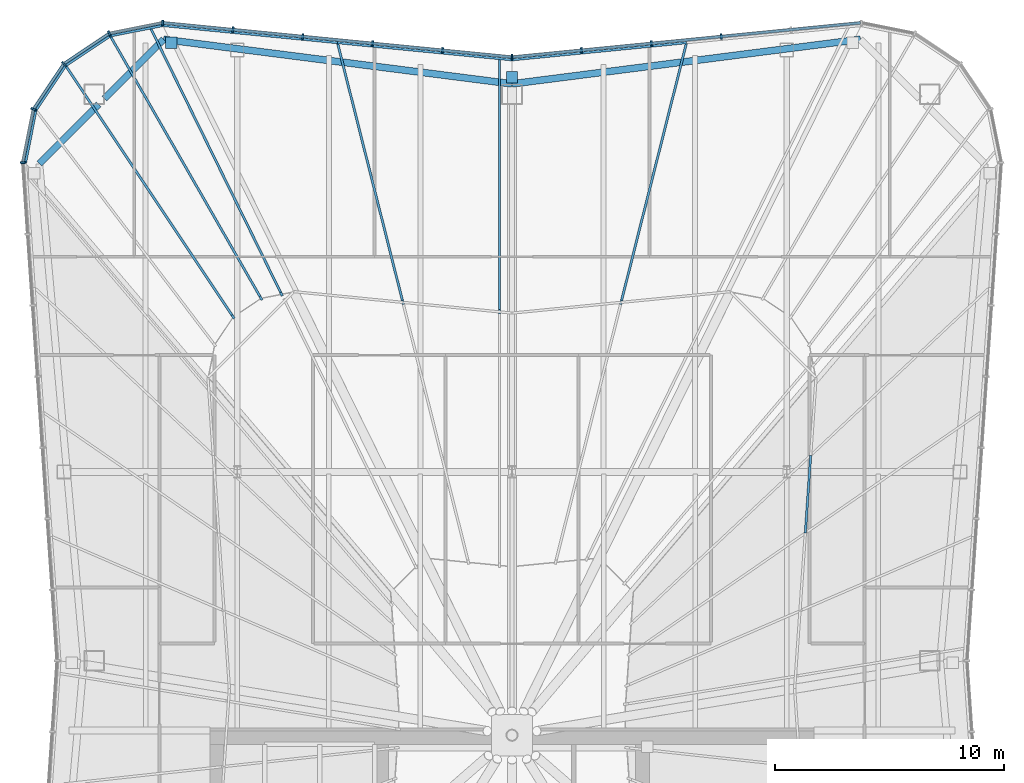
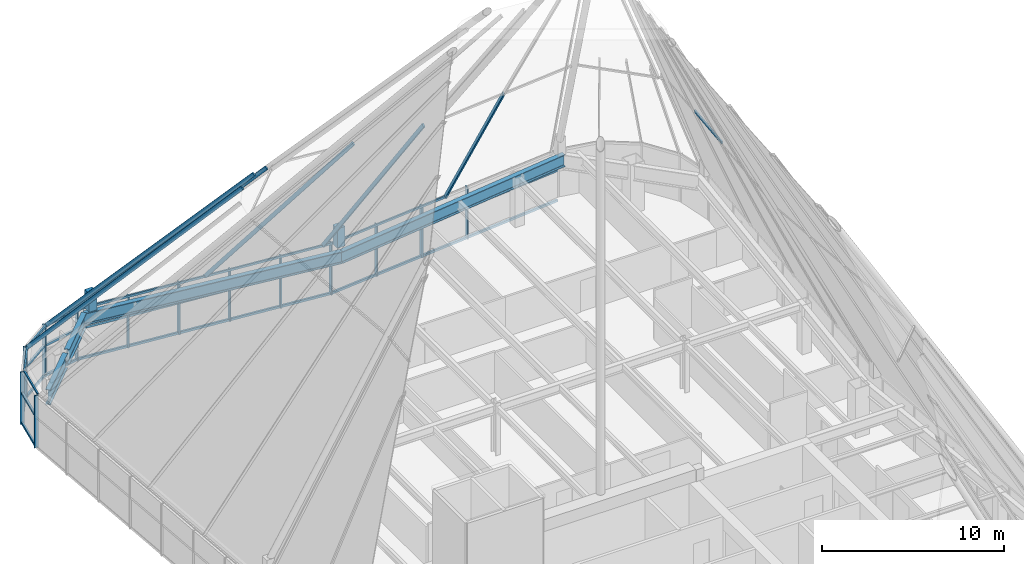
# One storey, part 16 of 28: 41 members, 4 beams, 11 elements without a shape of their own.
"""IFC4 building model written with IfcOpenShell, lengths in metres."""

from ifc_helpers import new_model, si_unit, direction, frame, origin, origin_2d, place, context, subcontext, project, spatial, rectangle, i_section, extrude, material, layer, layer_set, material_profile, profile_set, type_object, element, aggregate, save


model = new_model("IFC4")

# Units and contexts
model_context = context("Model", 3, precision=1e-05, world=origin(), true_north=direction((0.0, 1.0)))
body_context = subcontext(model_context, "Body", "Model", "MODEL_VIEW")
ifc_project = project(units=[si_unit("LENGTHUNIT", "METRE"), si_unit("AREAUNIT", "SQUARE_METRE"), si_unit("VOLUMEUNIT", "CUBIC_METRE"), si_unit("PLANEANGLEUNIT", "RADIAN"), si_unit("MASSUNIT", "GRAM", prefix="KILO")], contexts=[model_context])

# Site, building, storey
site_placement = place(None, origin())
site = spatial("IfcSite", under=ifc_project, at=site_placement, CompositionType="ELEMENT")
building_placement = place(site_placement, origin())
building = spatial("IfcBuilding", under=site, at=building_placement, Name="Verdant Reach Tower", CompositionType="ELEMENT")
storey_placement = place(building_placement, frame((0.0, 0.0, 368.0)))
storey = spatial("IfcBuildingStorey", under=building, at=storey_placement, Name="L83 Crown plant", CompositionType="ELEMENT", Elevation=368.0)

# Curtain wall, members
ifc_material_1 = material(Name="Anodised aluminium", Category="aluminium")
curtain_wall_type_1 = type_object("IfcCurtainWallType", Name="EN-CW SYSTEM PLANT", PredefinedType="NOTDEFINED", material=ifc_material_1)
curtain_wall_1_placement = place(storey_placement, origin())
curtain_wall_1 = element("IfcCurtainWall", 1, at=curtain_wall_1_placement, inside=storey, type_object=curtain_wall_type_1, Name="Curtain wall north, L83", PredefinedType="NOTDEFINED")
ifc_material_profile_1 = material_profile(ifc_material_1, rectangle(XDim=0.238037109375, YDim=0.080078125, at=origin_2d()), Name="Mullion 80x240")
ifc_profile_set_1 = profile_set([ifc_material_profile_1], Name="Anodised aluminium")
member_type_1 = type_object("IfcMemberType", Name="EN-MULLION PLANT", PredefinedType="MULLION", material=ifc_profile_set_1)
member_1_placement = place(storey_placement, frame((9.138427734375, 68.518310546875, -0.35009765625), z_axis=(0.0, 0.0, 1.0), x_axis=(-0.09788826992, 0.995197410875, 0.0)))
member_1 = element("IfcMember", 2, at=member_1_placement, type_object=member_type_1, Name="Mullion north face part 1 3, L83", PredefinedType="MULLION", context=body_context, shape_type="SweptSolid", body=[
    extrude(rectangle(XDim=0.238037109375, YDim=0.080078125, at=origin_2d()), origin(), (0.0, 0.0, 1.0), 3.5),
])
member_2_placement = place(storey_placement, frame((6.08837890625, 68.218505859375, -0.35009765625), z_axis=(0.0, 0.0, 1.0), x_axis=(-0.09788826992, 0.995197410875, 0.0)))
member_2 = element("IfcMember", 3, at=member_2_placement, type_object=member_type_1, Name="Mullion north face part 1 4, L83", PredefinedType="MULLION", context=body_context, shape_type="SweptSolid", body=[
    extrude(rectangle(XDim=0.238037109375, YDim=0.080078125, at=origin_2d()), origin(), (0.0, 0.0, 1.0), 3.5),
])
member_3_placement = place(storey_placement, frame((3.038330078125, 67.91845703125, -0.35009765625), z_axis=(0.0, 0.0, 1.0), x_axis=(-0.09788826992, 0.995197410875, 0.0)))
member_3 = element("IfcMember", 4, at=member_3_placement, type_object=member_type_1, Name="Mullion north face part 1 5, L83", PredefinedType="MULLION", context=body_context, shape_type="SweptSolid", body=[
    extrude(rectangle(XDim=0.238037109375, YDim=0.080078125, at=origin_2d()), origin(), (0.0, 0.0, 1.0), 3.5),
])
member_4_placement = place(storey_placement, frame((0.0, 67.618896484375, -0.35009765625), z_axis=(0.0, 0.0, 1.0), x_axis=(0.0, 1.0, 0.0)))
member_4 = element("IfcMember", 5, at=member_4_placement, type_object=member_type_1, Name="Mullion north face part 2 1, L83", PredefinedType="MULLION", context=body_context, shape_type="SweptSolid", body=[
    extrude(rectangle(XDim=0.238037109375, YDim=0.080078125, at=origin_2d()), origin(), (0.0, 0.0, 1.0), 3.5),
])
member_5_placement = place(storey_placement, frame((-3.038330078125, 67.91845703125, -0.35009765625), z_axis=(0.0, 0.0, 1.0), x_axis=(0.09788826992, 0.995197410875, 0.0)))
member_5 = element("IfcMember", 6, at=member_5_placement, type_object=member_type_1, Name="Mullion north face part 2 2, L83", PredefinedType="MULLION", context=body_context, shape_type="SweptSolid", body=[
    extrude(rectangle(XDim=0.238037109375, YDim=0.080078125, at=origin_2d()), origin(), (0.0, 0.0, 1.0), 3.5),
])
member_6_placement = place(storey_placement, frame((-6.08837890625, 68.218505859375, -0.35009765625), z_axis=(0.0, 0.0, 1.0), x_axis=(0.09788826992, 0.995197410875, 0.0)))
member_6 = element("IfcMember", 7, at=member_6_placement, type_object=member_type_1, Name="Mullion north face part 2 3, L83", PredefinedType="MULLION", context=body_context, shape_type="SweptSolid", body=[
    extrude(rectangle(XDim=0.238037109375, YDim=0.080078125, at=origin_2d()), origin(), (0.0, 0.0, 1.0), 3.5),
])
member_7_placement = place(storey_placement, frame((-9.138427734375, 68.518310546875, -0.35009765625), z_axis=(0.0, 0.0, 1.0), x_axis=(0.09788826992, 0.995197410875, 0.0)))
member_7 = element("IfcMember", 8, at=member_7_placement, type_object=member_type_1, Name="Mullion north face part 2 4, L83", PredefinedType="MULLION", context=body_context, shape_type="SweptSolid", body=[
    extrude(rectangle(XDim=0.238037109375, YDim=0.080078125, at=origin_2d()), origin(), (0.0, 0.0, 1.0), 3.5),
])
member_8_placement = place(storey_placement, frame((-12.188232421875, 68.818359375, -0.35009765625), z_axis=(0.0, 0.0, 1.0), x_axis=(0.09788826992, 0.995197410875, 0.0)))
member_8 = element("IfcMember", 9, at=member_8_placement, type_object=member_type_1, Name="Mullion north face part 2 5, L83", PredefinedType="MULLION", context=body_context, shape_type="SweptSolid", body=[
    extrude(rectangle(XDim=0.238037109375, YDim=0.080078125, at=origin_2d()), origin(), (0.0, 0.0, 1.0), 3.5),
])

curtain_wall_2_placement = place(storey_placement, origin())
curtain_wall_2 = element("IfcCurtainWall", 10, at=curtain_wall_2_placement, inside=storey, type_object=curtain_wall_type_1, Name="Curtain wall north-west corner, L83", PredefinedType="NOTDEFINED")
member_9_placement = place(storey_placement, frame((-15.255859375, 69.118896484375, -0.35009765625), z_axis=(0.0, 0.0, 1.0), x_axis=(-0.049127596288, 0.998792510626, 0.0)))
member_9 = element("IfcMember", 11, at=member_9_placement, type_object=member_type_1, Name="Mullion north-west corner 1, L83", PredefinedType="MULLION", context=body_context, shape_type="SweptSolid", body=[
    extrude(rectangle(XDim=0.238037109375, YDim=0.080078125, at=origin_2d()), origin(), (0.0, 0.0, 1.0), 3.5),
])
member_10_placement = place(storey_placement, frame((-17.591552734375, 68.6533203125, -0.35009765625), z_axis=(0.0, 0.0, 1.0), x_axis=(-0.382693853776, 0.923875215753, 0.0)))
member_10 = element("IfcMember", 12, at=member_10_placement, type_object=member_type_1, Name="Mullion north-west corner 2, L83", PredefinedType="MULLION", context=body_context, shape_type="SweptSolid", body=[
    extrude(rectangle(XDim=0.238037109375, YDim=0.080078125, at=origin_2d()), origin(), (0.0, 0.0, 1.0), 3.5),
])
member_11_placement = place(storey_placement, frame((-19.57666015625, 67.32666015625, -0.35009765625), z_axis=(0.0, 0.0, 1.0), x_axis=(-0.707106781187, 0.707106781187, 0.0)))
member_11 = element("IfcMember", 13, at=member_11_placement, type_object=member_type_1, Name="Mullion north-west corner 3, L83", PredefinedType="MULLION", context=body_context, shape_type="SweptSolid", body=[
    extrude(rectangle(XDim=0.238037109375, YDim=0.080078125, at=origin_2d()), origin(), (0.0, 0.0, 1.0), 3.5),
])
member_12_placement = place(storey_placement, frame((-20.9033203125, 65.341552734375, -0.35009765625), z_axis=(0.0, 0.0, 1.0), x_axis=(-0.923875215753, 0.382693853776, 0.0)))
member_12 = element("IfcMember", 14, at=member_12_placement, type_object=member_type_1, Name="Mullion north-west corner 4, L83", PredefinedType="MULLION", context=body_context, shape_type="SweptSolid", body=[
    extrude(rectangle(XDim=0.238037109375, YDim=0.080078125, at=origin_2d()), origin(), (0.0, 0.0, 1.0), 3.5),
])

# Curtain wall, member
curtain_wall_3_placement = place(storey_placement, origin())
curtain_wall_3 = element("IfcCurtainWall", 15, at=curtain_wall_3_placement, inside=storey, type_object=curtain_wall_type_1, Name="Curtain wall west, L83", PredefinedType="NOTDEFINED")
member_13_placement = place(storey_placement, frame((-21.36865234375, 63.007568359375, -0.35009765625), z_axis=(0.0, 0.0, 1.0), x_axis=(-0.997969180898, 0.063698618332, 0.0)))
member_13 = element("IfcMember", 16, at=member_13_placement, type_object=member_type_1, Name="Mullion west face part 1 1, L83", PredefinedType="MULLION", context=body_context, shape_type="SweptSolid", body=[
    extrude(rectangle(XDim=0.238037109375, YDim=0.080078125, at=origin_2d()), origin(), (0.0, 0.0, 1.0), 3.5),
])
aggregate(curtain_wall_3, [member_13])

curtain_wall_type_2 = type_object("IfcCurtainWallType", Name="EN-CW SYSTEM CROWN APEX", PredefinedType="NOTDEFINED", material=ifc_material_1)
curtain_wall_4_placement = place(storey_placement, origin())
curtain_wall_4 = element("IfcCurtainWall", 17, at=curtain_wall_4_placement, inside=storey, type_object=curtain_wall_type_2, Name="Crown glazing unit north face part 1 2, level 01", PredefinedType="NOTDEFINED")
ifc_material_profile_2 = material_profile(ifc_material_1, rectangle(XDim=0.10009765625, YDim=0.239990234375, at=origin_2d()), Name="Mullion 100x240")
ifc_profile_set_2 = profile_set([ifc_material_profile_2], Name="Anodised aluminium")
member_type_2 = type_object("IfcMemberType", Name="EN-RIB MULLION CROWN", PredefinedType="MULLION", material=ifc_profile_set_2)
member_14_placement = place(storey_placement, frame((7.625, 68.25, 3.14990234375), z_axis=(-0.151646765587, -0.601615037248, 0.784259271825), x_axis=(0.969669267948, -0.244420765888, 0.0)))
member_14 = element("IfcMember", 18, at=member_14_placement, type_object=member_type_2, Name="Crown mullion north face part 1 2, level 01", PredefinedType="MULLION", context=body_context, shape_type="SweptSolid", body=[
    extrude(rectangle(XDim=0.10009765625, YDim=0.239990234375, at=origin_2d()), origin(), (0.0, 0.0, 1.0), 18.85546875),
])

curtain_wall_5_placement = place(storey_placement, origin())
curtain_wall_5 = element("IfcCurtainWall", 19, at=curtain_wall_5_placement, inside=storey, type_object=curtain_wall_type_2, Name="Crown glazing unit north face part 2 1, level 01", PredefinedType="NOTDEFINED")
member_15_placement = place(storey_placement, frame((-0.54736328125, 67.553955078125, 3.14990234375), z_axis=(0.0, -0.599022333726, 0.80073231713), x_axis=(1.0, 0.0, 0.0)))
member_15 = element("IfcMember", 20, at=member_15_placement, type_object=member_type_2, Name="Crown mullion north face part 2 1, level 01", PredefinedType="MULLION", context=body_context, shape_type="SweptSolid", body=[
    extrude(rectangle(XDim=0.10009765625, YDim=0.239990234375, at=origin_2d()), origin(), (0.0, 0.0, 1.0), 18.467529296875),
])

curtain_wall_6_placement = place(storey_placement, origin())
curtain_wall_6 = element("IfcCurtainWall", 21, at=curtain_wall_6_placement, inside=storey, type_object=curtain_wall_type_2, Name="Crown glazing unit north face part 2 2, level 01", PredefinedType="NOTDEFINED")
member_16_placement = place(storey_placement, frame((-7.625, 68.25, 3.14990234375), z_axis=(0.151646765587, -0.601615037248, 0.784259271825), x_axis=(0.969669267948, 0.244420765888, 0.0)))
member_16 = element("IfcMember", 22, at=member_16_placement, type_object=member_type_2, Name="Crown mullion north face part 2 2, level 01", PredefinedType="MULLION", context=body_context, shape_type="SweptSolid", body=[
    extrude(rectangle(XDim=0.10009765625, YDim=0.239990234375, at=origin_2d()), origin(), (0.0, 0.0, 1.0), 18.85546875),
])

curtain_wall_7_placement = place(storey_placement, origin())
curtain_wall_7 = element("IfcCurtainWall", 23, at=curtain_wall_7_placement, inside=storey, type_object=curtain_wall_type_2, Name="Crown glazing unit north-west corner 1, level 01", PredefinedType="NOTDEFINED")
member_17_placement = place(storey_placement, frame((-15.78955078125, 68.892822265625, 3.14990234375), z_axis=(0.290881685623, -0.591300475692, 0.752164604601), x_axis=(0.897302982151, 0.441415176703, 0.0)))
member_17 = element("IfcMember", 24, at=member_17_placement, type_object=member_type_2, Name="Crown mullion north-west corner 1, level 01", PredefinedType="MULLION", context=body_context, shape_type="SweptSolid", body=[
    extrude(rectangle(XDim=0.10009765625, YDim=0.239990234375, at=origin_2d()), origin(), (0.0, 0.0, 1.0), 19.66015625),
])

curtain_wall_8_placement = place(storey_placement, origin())
curtain_wall_8 = element("IfcCurtainWall", 25, at=curtain_wall_8_placement, inside=storey, type_object=curtain_wall_type_2, Name="Crown glazing unit north-west corner 2, level 01", PredefinedType="NOTDEFINED")
member_18_placement = place(storey_placement, frame((-17.546142578125, 68.543212890625, 3.14990234375), z_axis=(0.331844333351, -0.577646286031, 0.745790926907), x_axis=(0.867102315196, 0.498130078374, 0.0)))
member_18 = element("IfcMember", 26, at=member_18_placement, type_object=member_type_2, Name="Crown mullion north-west corner 2, level 01", PredefinedType="MULLION", context=body_context, shape_type="SweptSolid", body=[
    extrude(rectangle(XDim=0.10009765625, YDim=0.239990234375, at=origin_2d()), origin(), (0.0, 0.0, 1.0), 19.828125),
])

curtain_wall_9_placement = place(storey_placement, origin())
curtain_wall_9 = element("IfcCurtainWall", 27, at=curtain_wall_9_placement, inside=storey, type_object=curtain_wall_type_2, Name="Crown glazing unit north-west corner 3, level 01", PredefinedType="NOTDEFINED")
member_19_placement = place(storey_placement, frame((-19.49267578125, 67.24267578125, 3.14990234375), z_axis=(0.369031498017, -0.553615036119, 0.746542795327), x_axis=(0.832081642791, 0.554653170666, 0.0)))
member_19 = element("IfcMember", 28, at=member_19_placement, type_object=member_type_2, Name="Crown mullion north-west corner 3, level 01", PredefinedType="MULLION", context=body_context, shape_type="SweptSolid", body=[
    extrude(rectangle(XDim=0.10009765625, YDim=0.239990234375, at=origin_2d()), origin(), (0.0, 0.0, 1.0), 19.80810546875),
])

# Member
ifc_material_profile_3 = material_profile(ifc_material_1, rectangle(XDim=0.10009765625, YDim=0.139892578125, at=origin_2d()), Name="Transom 140x100")
ifc_profile_set_3 = profile_set([ifc_material_profile_3], Name="Anodised aluminium")
member_type_3 = type_object("IfcMemberType", Name="EN-TRANSOM CROWN", PredefinedType="USERDEFINED", material=ifc_profile_set_3)
member_20_placement = place(storey_placement, frame((7.625, 68.25, 3.14990234375), z_axis=(-0.995197410875, -0.097888269922, 0.0), x_axis=(0.097888269922, -0.995197410875, 0.0)))
member_20 = element("IfcMember", 29, at=member_20_placement, type_object=member_type_3, Name="Crown transom north face part 1 2, level 01", ObjectType="TRANSOM", PredefinedType="USERDEFINED", context=body_context, shape_type="SweptSolid", body=[
    extrude(rectangle(XDim=0.10009765625, YDim=0.139892578125, at=origin_2d()), origin(), (0.0, 0.0, 1.0), 7.661865234375),
])

aggregate(curtain_wall_4, [member_14, member_20])

member_21_placement = place(storey_placement, frame((0.0, 67.5, 3.14990234375), z_axis=(-0.995197410875, 0.097888269922, 0.0), x_axis=(-0.097888269922, -0.995197410875, 0.0)))
member_21 = element("IfcMember", 30, at=member_21_placement, type_object=member_type_3, Name="Crown transom north face part 2 1, level 01", ObjectType="TRANSOM", PredefinedType="USERDEFINED", context=body_context, shape_type="SweptSolid", body=[
    extrude(rectangle(XDim=0.10009765625, YDim=0.139892578125, at=origin_2d()), origin(), (0.0, 0.0, 1.0), 7.661865234375),
])

aggregate(curtain_wall_5, [member_15, member_21])

member_22_placement = place(storey_placement, frame((-7.625, 68.25, 3.14990234375), z_axis=(-0.995197410875, 0.097888269922, 0.0), x_axis=(-0.097888269922, -0.995197410875, 0.0)))
member_22 = element("IfcMember", 31, at=member_22_placement, type_object=member_type_3, Name="Crown transom north face part 2 2, level 01", ObjectType="TRANSOM", PredefinedType="USERDEFINED", context=body_context, shape_type="SweptSolid", body=[
    extrude(rectangle(XDim=0.10009765625, YDim=0.139892578125, at=origin_2d()), origin(), (0.0, 0.0, 1.0), 7.661865234375),
])

aggregate(curtain_wall_6, [member_16, member_22])

member_23_placement = place(storey_placement, frame((-15.25, 69.0, 3.14990234375), z_axis=(-0.980780707056, -0.195113312377, 0.0), x_axis=(0.195113312377, -0.980780707056, 0.0)))
member_23 = element("IfcMember", 32, at=member_23_placement, type_object=member_type_3, Name="Crown transom north-west corner 1, level 01", ObjectType="TRANSOM", PredefinedType="USERDEFINED", context=body_context, shape_type="SweptSolid", body=[
    extrude(rectangle(XDim=0.10009765625, YDim=0.139892578125, at=origin_2d()), origin(), (0.0, 0.0, 1.0), 2.341064453125),
])

aggregate(curtain_wall_7, [member_17, member_23])

member_24_placement = place(storey_placement, frame((-17.546142578125, 68.543212890625, 3.14990234375), z_axis=(-0.831488317141, -0.55554223823, 0.0), x_axis=(0.55554223823, -0.831488317141, 0.0)))
member_24 = element("IfcMember", 33, at=member_24_placement, type_object=member_type_3, Name="Crown transom north-west corner 2, level 01", ObjectType="TRANSOM", PredefinedType="USERDEFINED", context=body_context, shape_type="SweptSolid", body=[
    extrude(rectangle(XDim=0.10009765625, YDim=0.139892578125, at=origin_2d()), origin(), (0.0, 0.0, 1.0), 2.341064453125),
])

aggregate(curtain_wall_8, [member_18, member_24])

member_25_placement = place(storey_placement, frame((-19.49267578125, 67.24267578125, 3.14990234375), z_axis=(-0.55554223823, -0.831488317141, 0.0), x_axis=(0.831488317141, -0.55554223823, 0.0)))
member_25 = element("IfcMember", 34, at=member_25_placement, type_object=member_type_3, Name="Crown transom north-west corner 3, level 01", ObjectType="TRANSOM", PredefinedType="USERDEFINED", context=body_context, shape_type="SweptSolid", body=[
    extrude(rectangle(XDim=0.10009765625, YDim=0.139892578125, at=origin_2d()), origin(), (0.0, 0.0, 1.0), 2.341064453125),
])

aggregate(curtain_wall_9, [member_19, member_25])

# Curtain wall, member
curtain_wall_10_placement = place(storey_placement, origin())
curtain_wall_10 = element("IfcCurtainWall", 35, at=curtain_wall_10_placement, inside=storey, type_object=curtain_wall_type_2, Name="Crown glazing unit north-west corner 4, level 01", PredefinedType="NOTDEFINED")
member_26_placement = place(storey_placement, frame((-20.793212890625, 65.296142578125, 3.14990234375), z_axis=(-0.195113312377, -0.980780707056, 0.0), x_axis=(0.980780707056, -0.195113312377, 0.0)))
member_26 = element("IfcMember", 36, at=member_26_placement, type_object=member_type_3, Name="Crown transom north-west corner 4, level 01", ObjectType="TRANSOM", PredefinedType="USERDEFINED", context=body_context, shape_type="SweptSolid", body=[
    extrude(rectangle(XDim=0.10009765625, YDim=0.139892578125, at=origin_2d()), origin(), (0.0, 0.0, 1.0), 2.341064453125),
])
aggregate(curtain_wall_10, [member_26])

curtain_wall_11_placement = place(storey_placement, origin())
curtain_wall_11 = element("IfcCurtainWall", 37, at=curtain_wall_11_placement, inside=storey, type_object=curtain_wall_type_2, Name="Crown glazing unit east face part 2 3, level 02", PredefinedType="NOTDEFINED")
member_27_placement = place(storey_placement, frame((12.8125, 46.828125, 17.9375), z_axis=(0.068802091615, 0.997630328423, 0.0), x_axis=(-0.997630328423, 0.068802091615, 0.0)))
member_27 = element("IfcMember", 38, at=member_27_placement, type_object=member_type_3, Name="Crown transom east face part 2 3, level 02", ObjectType="TRANSOM", PredefinedType="USERDEFINED", context=body_context, shape_type="SweptSolid", body=[
    extrude(rectangle(XDim=0.10009765625, YDim=0.139892578125, at=origin_2d()), origin(), (0.0, 0.0, 1.0), 3.406494140625),
])
aggregate(curtain_wall_11, [member_27])

# Member
ifc_material_profile_4 = material_profile(ifc_material_1, rectangle(XDim=0.1201171875, YDim=0.14990234375, at=origin_2d()), Name="Transom 150x120")
ifc_profile_set_4 = profile_set([ifc_material_profile_4], Name="Anodised aluminium")
member_type_4 = type_object("IfcMemberType", Name="EN-TRANSOM PLANT", PredefinedType="USERDEFINED", material=ifc_profile_set_4)
member_28_placement = place(storey_placement, frame((15.216064453125, 69.114990234375, -0.27490234375), z_axis=(-0.995200989722, -0.097851878144, 0.0), x_axis=(0.097851878144, -0.995200989722, 0.0)))
member_28 = element("IfcMember", 39, at=member_28_placement, type_object=member_type_4, Name="Transom north face part 1 1.1, L83", ObjectType="TRANSOM", PredefinedType="USERDEFINED", context=body_context, shape_type="SweptSolid", body=[
    extrude(rectangle(XDim=0.1201171875, YDim=0.14990234375, at=origin_2d()), origin(), (0.0, 0.0, 1.0), 15.24951171875),
])

member_29_placement = place(storey_placement, frame((15.216064453125, 69.114990234375, 1.75), z_axis=(-0.995200989722, -0.097851878144, 0.0), x_axis=(0.097851878144, -0.995200989722, 0.0)))
member_29 = element("IfcMember", 40, at=member_29_placement, type_object=member_type_4, Name="Transom north face part 1 1.2, L83", ObjectType="TRANSOM", PredefinedType="USERDEFINED", context=body_context, shape_type="SweptSolid", body=[
    extrude(rectangle(XDim=0.1201171875, YDim=0.14990234375, at=origin_2d()), origin(), (0.0, 0.0, 1.0), 15.24951171875),
])

member_30_placement = place(storey_placement, frame((-0.039794921875, 67.622802734375, -0.27490234375), z_axis=(-0.995200989722, 0.097851878144, 0.0), x_axis=(-0.097851878144, -0.995200989722, 0.0)))
member_30 = element("IfcMember", 41, at=member_30_placement, type_object=member_type_4, Name="Transom north face part 2 1.1, L83", ObjectType="TRANSOM", PredefinedType="USERDEFINED", context=body_context, shape_type="SweptSolid", body=[
    extrude(rectangle(XDim=0.1201171875, YDim=0.14990234375, at=origin_2d()), origin(), (0.0, 0.0, 1.0), 15.24951171875),
])

member_31_placement = place(storey_placement, frame((-0.039794921875, 67.622802734375, 1.75), z_axis=(-0.995200989722, 0.097851878144, 0.0), x_axis=(-0.097851878144, -0.995200989722, 0.0)))
member_31 = element("IfcMember", 42, at=member_31_placement, type_object=member_type_4, Name="Transom north face part 2 1.2, L83", ObjectType="TRANSOM", PredefinedType="USERDEFINED", context=body_context, shape_type="SweptSolid", body=[
    extrude(rectangle(XDim=0.1201171875, YDim=0.14990234375, at=origin_2d()), origin(), (0.0, 0.0, 1.0), 15.24951171875),
])

aggregate(curtain_wall_1, [member_1, member_2, member_3, member_28, member_29, member_4, member_5, member_6, member_7, member_8, member_30, member_31])

member_32_placement = place(storey_placement, frame((-15.295166015625, 69.111083984375, -0.27490234375), z_axis=(-0.980706937788, -0.195483764476, 0.0), x_axis=(0.195483764476, -0.980706937788, 0.0)))
member_32 = element("IfcMember", 43, at=member_32_placement, type_object=member_type_4, Name="Transom north-west corner 1.1, L83", ObjectType="TRANSOM", PredefinedType="USERDEFINED", context=body_context, shape_type="SweptSolid", body=[
    extrude(rectangle(XDim=0.1201171875, YDim=0.14990234375, at=origin_2d()), origin(), (0.0, 0.0, 1.0), 2.3017578125),
])

member_33_placement = place(storey_placement, frame((-17.625, 68.631103515625, -0.27490234375), z_axis=(-0.831398626828, -0.5556764556, 0.0), x_axis=(0.5556764556, -0.831398626828, 0.0)))
member_33 = element("IfcMember", 44, at=member_33_placement, type_object=member_type_4, Name="Transom north-west corner 2.1, L83", ObjectType="TRANSOM", PredefinedType="USERDEFINED", context=body_context, shape_type="SweptSolid", body=[
    extrude(rectangle(XDim=0.1201171875, YDim=0.14990234375, at=origin_2d()), origin(), (0.0, 0.0, 1.0), 2.3076171875),
])

member_34_placement = place(storey_placement, frame((-19.598876953125, 67.29345703125, -0.27490234375), z_axis=(-0.5556764556, -0.831398626828, 0.0), x_axis=(0.831398626828, -0.5556764556, 0.0)))
member_34 = element("IfcMember", 45, at=member_34_placement, type_object=member_type_4, Name="Transom north-west corner 3.1, L83", ObjectType="TRANSOM", PredefinedType="USERDEFINED", context=body_context, shape_type="SweptSolid", body=[
    extrude(rectangle(XDim=0.1201171875, YDim=0.14990234375, at=origin_2d()), origin(), (0.0, 0.0, 1.0), 2.3076171875),
])

member_35_placement = place(storey_placement, frame((-20.9111328125, 65.302490234375, -0.27490234375), z_axis=(-0.195524121666, -0.980698892549, 0.0), x_axis=(0.980698892549, -0.195524121666, 0.0)))
member_35 = element("IfcMember", 46, at=member_35_placement, type_object=member_type_4, Name="Transom north-west corner 4.1, L83", ObjectType="TRANSOM", PredefinedType="USERDEFINED", context=body_context, shape_type="SweptSolid", body=[
    extrude(rectangle(XDim=0.1201171875, YDim=0.14990234375, at=origin_2d()), origin(), (0.0, 0.0, 1.0), 2.300048828125),
])

member_36_placement = place(storey_placement, frame((-15.295166015625, 69.111083984375, 1.75), z_axis=(-0.980706937788, -0.195483764476, 0.0), x_axis=(0.195483764476, -0.980706937788, 0.0)))
member_36 = element("IfcMember", 47, at=member_36_placement, type_object=member_type_4, Name="Transom north-west corner 1.2, L83", ObjectType="TRANSOM", PredefinedType="USERDEFINED", context=body_context, shape_type="SweptSolid", body=[
    extrude(rectangle(XDim=0.1201171875, YDim=0.14990234375, at=origin_2d()), origin(), (0.0, 0.0, 1.0), 2.3017578125),
])

member_37_placement = place(storey_placement, frame((-17.625, 68.631103515625, 1.75), z_axis=(-0.831398626828, -0.5556764556, 0.0), x_axis=(0.5556764556, -0.831398626828, 0.0)))
member_37 = element("IfcMember", 48, at=member_37_placement, type_object=member_type_4, Name="Transom north-west corner 2.2, L83", ObjectType="TRANSOM", PredefinedType="USERDEFINED", context=body_context, shape_type="SweptSolid", body=[
    extrude(rectangle(XDim=0.1201171875, YDim=0.14990234375, at=origin_2d()), origin(), (0.0, 0.0, 1.0), 2.3076171875),
])

member_38_placement = place(storey_placement, frame((-19.598876953125, 67.29345703125, 1.75), z_axis=(-0.5556764556, -0.831398626828, 0.0), x_axis=(0.831398626828, -0.5556764556, 0.0)))
member_38 = element("IfcMember", 49, at=member_38_placement, type_object=member_type_4, Name="Transom north-west corner 3.2, L83", ObjectType="TRANSOM", PredefinedType="USERDEFINED", context=body_context, shape_type="SweptSolid", body=[
    extrude(rectangle(XDim=0.1201171875, YDim=0.14990234375, at=origin_2d()), origin(), (0.0, 0.0, 1.0), 2.3076171875),
])

member_39_placement = place(storey_placement, frame((-20.9111328125, 65.302490234375, 1.75), z_axis=(-0.195524121666, -0.980698892549, 0.0), x_axis=(0.980698892549, -0.195524121666, 0.0)))
member_39 = element("IfcMember", 50, at=member_39_placement, type_object=member_type_4, Name="Transom north-west corner 4.2, L83", ObjectType="TRANSOM", PredefinedType="USERDEFINED", context=body_context, shape_type="SweptSolid", body=[
    extrude(rectangle(XDim=0.1201171875, YDim=0.14990234375, at=origin_2d()), origin(), (0.0, 0.0, 1.0), 2.300048828125),
])

aggregate(curtain_wall_2, [member_9, member_10, member_11, member_12, member_32, member_33, member_34, member_35, member_36, member_37, member_38, member_39])

# Members
ifc_material_2 = material(Name="Steel S460", Category="steel")
ifc_layer = layer(ifc_material_2, 0.5)
ifc_layer_set = layer_set([ifc_layer], Name="ST-NODE-FOOT")
member_type_5 = type_object("IfcMemberType", Name="ST-NODE-FOOT", PredefinedType="POST", material=ifc_layer_set)
member_40_placement = place(storey_placement, frame((0.0, 66.734130859375, 3.5), z_axis=(0.0, 0.0, 1.0), x_axis=(1.0, 0.0, 0.0)))
element("IfcMember", 51, at=member_40_placement, inside=storey, type_object=member_type_5, Name="Crown rib foot node 6", PredefinedType="POST", context=body_context, shape_type="SweptSolid", body=[
    extrude(rectangle(XDim=0.5, YDim=0.5, at=origin_2d()), origin(), (0.0, 0.0, 1.0), 1.299560546875),
])
member_41_placement = place(storey_placement, frame((-14.880859375, 68.24951171875, 3.5), z_axis=(0.0, 0.0, 1.0), x_axis=(1.0, 0.0, 0.0)))
element("IfcMember", 52, at=member_41_placement, inside=storey, type_object=member_type_5, Name="Crown rib foot node 7", PredefinedType="POST", context=body_context, shape_type="SweptSolid", body=[
    extrude(rectangle(XDim=0.5, YDim=0.5, at=origin_2d()), origin(), (0.0, 0.0, 1.0), 1.23193359375),
])

# Beams
ifc_material_3 = material(Name="Steel S355", Category="steel")
ifc_material_profile_5 = material_profile(ifc_material_3, i_section(OverallWidth=0.300048828125, OverallDepth=0.800048828125, WebThickness=0.017578125, FlangeThickness=0.032958984375, FilletRadius=0.030029296875, at=origin_2d()), Name="HEB 800")
ifc_profile_set_5 = profile_set([ifc_material_profile_5], Name="Steel S355")
beam_type_1 = type_object("IfcBeamType", Name="ST-SPANDREL-HEB800", PredefinedType="SPANDREL", material=ifc_profile_set_5)
for number, where, z_axis, x_axis, name in (
    (53, (-15.22021484375, 68.394287109375, 2.89990234375), (0.991938889669, -0.126717162063, 0.0), (0.126717162063, 0.991938889669, 0.0), "Edge beam, L83 Crown plant"),
    (54, (0.0, 66.449951171875, 2.89990234375), (0.991938889669, 0.126717162063, 0.0), (-0.126717162063, 0.991938889669, 0.0), "Edge beam, L83 Crown plant"),
):
    element("IfcBeam", number, at=place(storey_placement, frame(where, z_axis=z_axis, x_axis=x_axis)), inside=storey, type_object=beam_type_1, Name=name, PredefinedType="SPANDREL", context=body_context, shape_type="SweptSolid", body=[
        extrude(i_section(OverallWidth=0.300048828125, OverallDepth=0.800048828125, WebThickness=0.017578125, FlangeThickness=0.032958984375, FilletRadius=0.030029296875, at=origin_2d()), origin(), (0.0, 0.0, 1.0), 15.343994140625),
    ])
ifc_material_profile_6 = material_profile(ifc_material_3, i_section(OverallWidth=0.302001953125, OverallDepth=1.008056640625, WebThickness=0.02099609375, FlangeThickness=0.0400390625, FilletRadius=0.030029296875, at=origin_2d()), Name="HEM 1000")
ifc_profile_set_6 = profile_set([ifc_material_profile_6], Name="Steel S355")
beam_type_2 = type_object("IfcBeamType", Name="ST-SPANDREL-HEM1000", PredefinedType="SPANDREL", material=ifc_profile_set_6)
beam_1_placement = place(storey_placement, frame((-20.64599609375, 62.96142578125, 2.7958984375), z_axis=(0.706639493403, 0.707573760369, 0.0), x_axis=(-0.707573760369, 0.706639493403, 0.0)))
element("IfcBeam", 55, at=beam_1_placement, inside=storey, type_object=beam_type_2, Name="Edge beam, L83 Crown plant", PredefinedType="SPANDREL", context=body_context, shape_type="SweptSolid", body=[
    extrude(i_section(OverallWidth=0.302001953125, OverallDepth=1.008056640625, WebThickness=0.02099609375, FlangeThickness=0.0400390625, FilletRadius=0.030029296875, at=origin_2d()), origin(), (0.0, 0.0, 1.0), 3.658447265625),
])
beam_2_placement = place(storey_placement, frame((-17.800048828125, 65.81103515625, 2.7958984375), z_axis=(0.706638520854, 0.707574731632, 0.0), x_axis=(-0.707574731632, 0.706638520854, 0.0)))
element("IfcBeam", 56, at=beam_2_placement, inside=storey, type_object=beam_type_2, Name="Edge beam, L83 Crown plant", PredefinedType="SPANDREL", context=body_context, shape_type="SweptSolid", body=[
    extrude(i_section(OverallWidth=0.302001953125, OverallDepth=1.008056640625, WebThickness=0.02099609375, FlangeThickness=0.0400390625, FilletRadius=0.030029296875, at=origin_2d()), origin(), (0.0, 0.0, 1.0), 3.65087890625),
])

save(model, "model.ifc")
